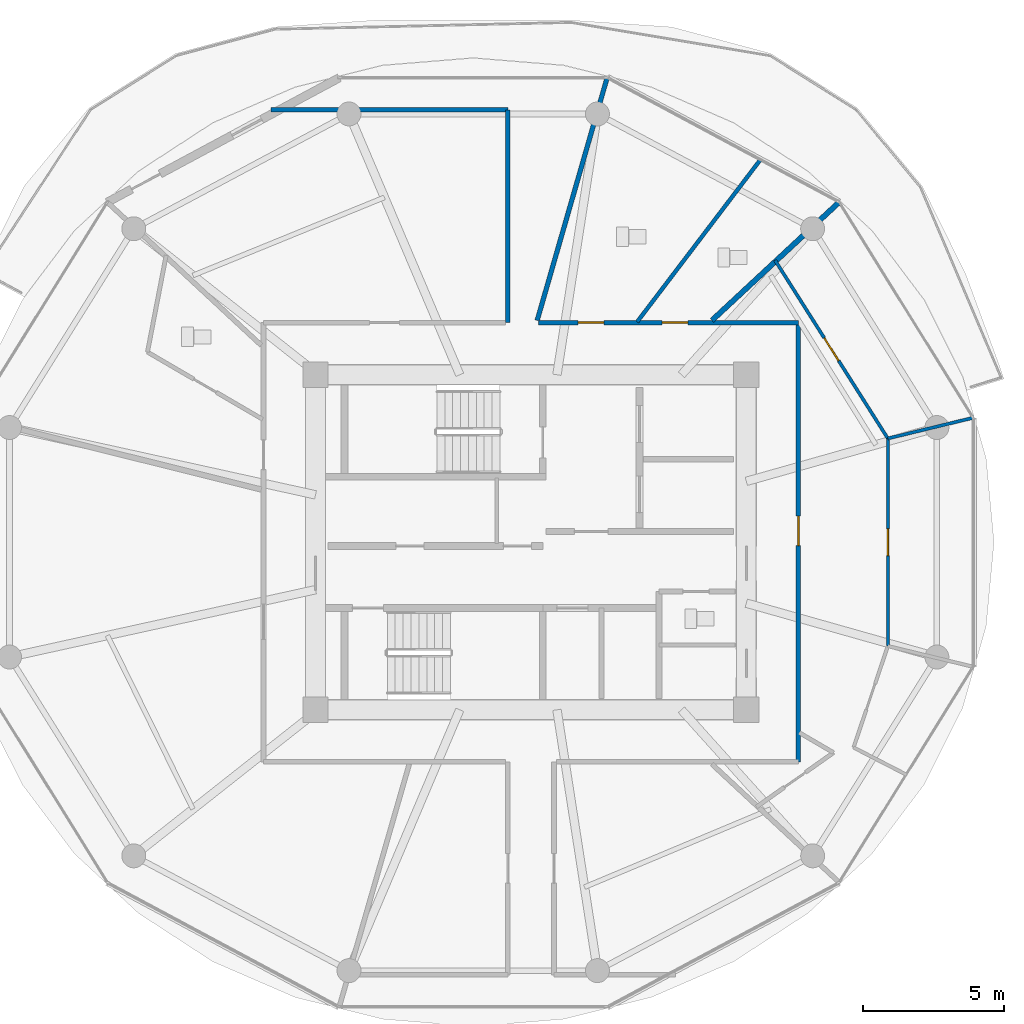
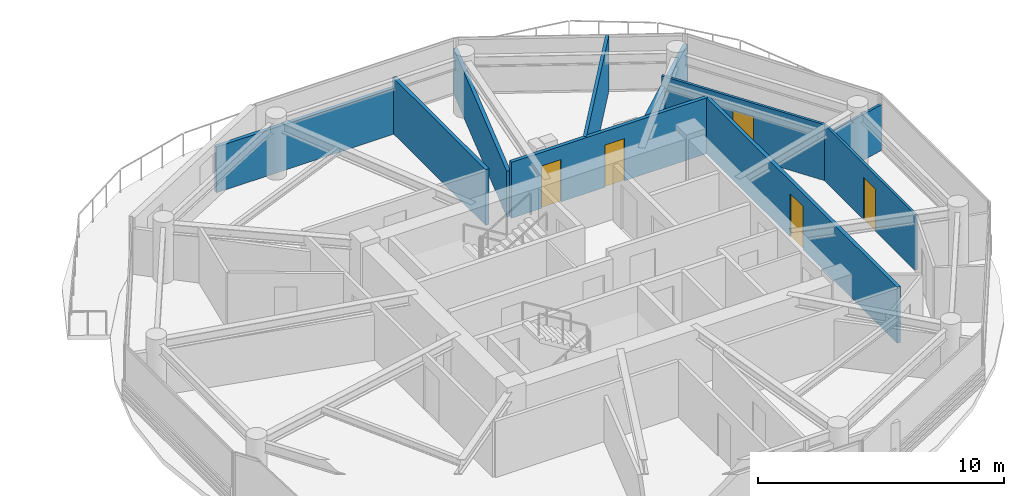
# One storey, part 17 of 24: 10 walls, 5 doors, 5 openings.
"""IFC4 building model written with IfcOpenShell, lengths in metres."""

from ifc_helpers import new_model, si_unit, direction, frame, frame_2d, origin, place, context, subcontext, project, spatial, rectangle, extrude, source, transform, mapped, material, layer, layer_set, type_object, type_shapes, element, fill, save


model = new_model("IFC4")

# Units and contexts
model_context = context("Model", 3, precision=1e-05, world=origin(), true_north=direction((0.0, 1.0)))
body_context = subcontext(model_context, "Body", "Model", "MODEL_VIEW")
ifc_project = project(units=[si_unit("LENGTHUNIT", "METRE"), si_unit("AREAUNIT", "SQUARE_METRE"), si_unit("VOLUMEUNIT", "CUBIC_METRE"), si_unit("PLANEANGLEUNIT", "RADIAN"), si_unit("MASSUNIT", "GRAM", prefix="KILO")], contexts=[model_context])

# Site, building, storey
site_placement = place(None, origin())
site = spatial("IfcSite", under=ifc_project, at=site_placement, CompositionType="ELEMENT")
building_placement = place(site_placement, origin())
building = spatial("IfcBuilding", under=site, at=building_placement, Name="Norrkilde Senior Care Towers", CompositionType="ELEMENT")
storey_placement = place(building_placement, frame((0.0, 0.0, 114.550048828125)))
storey = spatial("IfcBuildingStorey", under=building, at=storey_placement, Name="L35", CompositionType="ELEMENT", Elevation=114.550048828125)

# Wall, opening, door
ifc_material_1 = material(Name="Gypsum Acoustic Board")
ifc_layer_1 = layer(ifc_material_1, 0.1650390625)
ifc_layer_set_1 = layer_set([ifc_layer_1], Name="Gypsum Acoustic Board")
wall_type_1 = type_object("IfcWallType", Name="Corridor Rated Partition 165", PredefinedType="PARTITIONING", material=ifc_layer_set_1)
shared_shape_1 = source(origin(), body_context, "Body", "SweptSolid", [
    extrude(rectangle(XDim=15.60009765625, YDim=0.1650390625, at=frame_2d((7.800048828125, 0.0))), origin(), (0.0, 0.0, 1.0), 2.77490234375),
])
wall_1_placement = place(storey_placement, frame((37.5, 7.800048828125, 0.0), z_axis=(0.0, 0.0, 1.0), x_axis=(0.0, -1.0, 0.0)))
wall_1 = element("IfcWall", 1, at=wall_1_placement, inside=storey, type_object=wall_type_1, Name="WL-INT-L35-E-CRW-E-0", PredefinedType="PARTITIONING", context=body_context, shape_type="MappedRepresentation", body=[
    mapped(shared_shape_1, transform((0.0, 0.0, 0.0), x_axis=(1.0, 0.0, 0.0), y_axis=(0.0, 1.0, 0.0), z_axis=(0.0, 0.0, 1.0), scale=1.0)),
])
opening_1_placement = place(wall_1_placement, frame((6.86962890625, 0.0, 0.0)))
opening_1 = element("IfcOpeningElement", 2, at=opening_1_placement, cuts=wall_1, Name="Opening D-06", PredefinedType="OPENING", context=body_context, shape_type="SweptSolid", body=[
    extrude(rectangle(XDim=1.050048828125, YDim=2.14990234375, at=frame_2d((0.52490234375, 1.074951171875))), frame((0.0, 0.092529296875, 0.0), z_axis=(0.0, -1.0, 0.0), x_axis=(1.0, 0.0, 0.0)), (0.0, 0.0, 1.0), 0.18505859375),
])
ifc_material_2 = material(Name="Nordic Ash Timber", Category="wood")
door_type_1 = type_object("IfcDoorType", Name="Apartment Entrance Fire Door 1050x2150", OperationType="NOTDEFINED", PredefinedType="DOOR", material=ifc_material_2)
shared_shape_2 = source(origin(), body_context, "Body", "SweptSolid", [
    extrude(rectangle(XDim=1.050048828125, YDim=2.14990234375, at=frame_2d((0.52490234375, 1.074951171875))), frame((0.0, 0.02490234375, 0.0), z_axis=(0.0, -1.0, 0.0), x_axis=(1.0, 0.0, 0.0)), (0.0, 0.0, 1.0), 0.050048828125),
])
type_shapes(door_type_1, [shared_shape_2])
door_1_placement = place(opening_1_placement, frame((1.050048828125, 0.0, 0.0), z_axis=(0.0, 0.0, 1.0), x_axis=(-1.0, 0.0, 0.0)))
door_1 = element("IfcDoor", 3, at=door_1_placement, inside=storey, type_object=door_type_1, Name="Apartment 35C Entrance Door", OperationType="SINGLE_SWING_LEFT", OverallHeight=2.14990234375, OverallWidth=1.050048828125, PredefinedType="DOOR", context=body_context, shape_type="MappedRepresentation", body=[
    mapped(shared_shape_2, transform((0.0, 0.0, 0.0), x_axis=(1.0, 0.0, 0.0), y_axis=(0.0, 1.0, 0.0), z_axis=(0.0, 0.0, 1.0), scale=1.0)),
])
fill(opening_1, door_1)

# Wall, openings, doors
shared_shape_3 = source(origin(), body_context, "Body", "SweptSolid", [
    extrude(rectangle(XDim=9.234130859375, YDim=0.1650390625, at=frame_2d((4.6171875, 0.0))), origin(), (0.0, 0.0, 1.0), 2.77490234375),
])
wall_2_placement = place(storey_placement, frame((28.265869140625, 7.800048828125, 0.0), z_axis=(0.0, 0.0, 1.0), x_axis=(1.0, 0.0, 0.0)))
wall_2 = element("IfcWall", 4, at=wall_2_placement, inside=storey, type_object=wall_type_1, Name="WL-INT-L35-E-CRW-N-1", PredefinedType="PARTITIONING", context=body_context, shape_type="MappedRepresentation", body=[
    mapped(shared_shape_3, transform((0.0, 0.0, 0.0), x_axis=(1.0, 0.0, 0.0), y_axis=(0.0, 1.0, 0.0), z_axis=(0.0, 0.0, 1.0), scale=1.0)),
])
opening_2_placement = place(wall_2_placement, frame((4.39208984375, 0.0, 0.0)))
opening_2 = element("IfcOpeningElement", 5, at=opening_2_placement, cuts=wall_2, Name="Opening D-08", PredefinedType="OPENING", context=body_context, shape_type="SweptSolid", body=[
    extrude(rectangle(XDim=0.919921875, YDim=2.10009765625, at=frame_2d((0.4599609375, 1.050048828125))), frame((0.0, 0.092529296875, 0.0), z_axis=(0.0, -1.0, 0.0), x_axis=(1.0, 0.0, 0.0)), (0.0, 0.0, 1.0), 0.18505859375),
])
opening_3_placement = place(wall_2_placement, frame((1.407958984375, 0.0, 0.0)))
opening_3 = element("IfcOpeningElement", 6, at=opening_3_placement, cuts=wall_2, Name="Opening D-08", PredefinedType="OPENING", context=body_context, shape_type="SweptSolid", body=[
    extrude(rectangle(XDim=0.919921875, YDim=2.10009765625, at=frame_2d((0.4599609375, 1.050048828125))), frame((0.0, 0.092529296875, 0.0), z_axis=(0.0, -1.0, 0.0), x_axis=(1.0, 0.0, 0.0)), (0.0, 0.0, 1.0), 0.18505859375),
])
door_type_2 = type_object("IfcDoorType", Name="Accessible Wet Room Door 920x2100", OperationType="NOTDEFINED", PredefinedType="DOOR", material=ifc_material_2)
shared_shape_4 = source(origin(), body_context, "Body", "SweptSolid", [
    extrude(rectangle(XDim=0.919921875, YDim=2.10009765625, at=frame_2d((0.4599609375, 1.050048828125))), frame((0.0, 0.02490234375, 0.0), z_axis=(0.0, -1.0, 0.0), x_axis=(1.0, 0.0, 0.0)), (0.0, 0.0, 1.0), 0.050048828125),
])
type_shapes(door_type_2, [shared_shape_4])
door_2_placement = place(opening_2_placement, frame((0.919921875, 0.0, 0.0), z_axis=(0.0, 0.0, 1.0), x_axis=(-1.0, 0.0, 0.0)))
door_2 = element("IfcDoor", 7, at=door_2_placement, inside=storey, type_object=door_type_2, Name="L35 Accessible Restroom Door", OperationType="SINGLE_SWING_RIGHT", OverallHeight=2.10009765625, OverallWidth=0.919921875, PredefinedType="DOOR", context=body_context, shape_type="MappedRepresentation", body=[
    mapped(shared_shape_4, transform((0.0, 0.0, 0.0), x_axis=(1.0, 0.0, 0.0), y_axis=(0.0, 1.0, 0.0), z_axis=(0.0, 0.0, 1.0), scale=1.0)),
])
fill(opening_2, door_2)
door_3_placement = place(opening_3_placement, frame((0.919921875, 0.0, 0.0), z_axis=(0.0, 0.0, 1.0), x_axis=(-1.0, 0.0, 0.0)))
door_3 = element("IfcDoor", 8, at=door_3_placement, inside=storey, type_object=door_type_2, Name="L35 Public Restroom Door", OperationType="SINGLE_SWING_LEFT", OverallHeight=2.10009765625, OverallWidth=0.919921875, PredefinedType="DOOR", context=body_context, shape_type="MappedRepresentation", body=[
    mapped(shared_shape_4, transform((0.0, 0.0, 0.0), x_axis=(1.0, 0.0, 0.0), y_axis=(0.0, 1.0, 0.0), z_axis=(0.0, 0.0, 1.0), scale=1.0)),
])
fill(opening_3, door_3)

# Walls
shared_shape_5 = source(origin(), body_context, "Body", "SweptSolid", [
    extrude(rectangle(XDim=8.9892578125, YDim=0.1650390625, at=frame_2d((4.49462890625, 0.0))), origin(), (0.0, 0.0, 1.0), 2.27490234375),
])
wall_3_placement = place(storey_placement, frame((28.221923828125, 7.8798828125, 0.0), z_axis=(0.0, 0.0, 1.0), x_axis=(0.27702323008, 0.960863221274, 0.0)))
element("IfcWall", 9, at=wall_3_placement, inside=storey, type_object=wall_type_1, Name="WL-INT-L35-E-DEM-02-0", PredefinedType="PARTITIONING", context=body_context, shape_type="MappedRepresentation", body=[
    mapped(shared_shape_5, transform((0.0, 0.0, 0.0), x_axis=(1.0, 0.0, 0.0), y_axis=(0.0, 1.0, 0.0), z_axis=(0.0, 0.0, 1.0), scale=1.0)),
])
shared_shape_6 = source(origin(), body_context, "Body", "SweptSolid", [
    extrude(rectangle(XDim=7.56005859375, YDim=0.1650390625, at=frame_2d((3.780029296875, 0.0))), origin(), (0.0, 0.0, 1.0), 2.77490234375),
])
wall_4_placement = place(storey_placement, frame((27.179931640625, 7.800048828125, 0.0), z_axis=(0.0, 0.0, 1.0), x_axis=(0.0, 1.0, 0.0)))
element("IfcWall", 10, at=wall_4_placement, inside=storey, type_object=wall_type_1, Name="WL-INT-L35-E-PKW-NWL", PredefinedType="PARTITIONING", context=body_context, shape_type="MappedRepresentation", body=[
    mapped(shared_shape_6, transform((0.0, 0.0, 0.0), x_axis=(1.0, 0.0, 0.0), y_axis=(0.0, 1.0, 0.0), z_axis=(0.0, 0.0, 1.0), scale=1.0)),
])
shared_shape_7 = source(origin(), body_context, "Body", "SweptSolid", [
    extrude(rectangle(XDim=8.406982421875, YDim=0.1650390625, at=frame_2d((4.20361328125, 0.0))), origin(), (0.0, 0.0, 1.0), 2.27490234375),
])
type_shapes(wall_type_1, [shared_shape_1, shared_shape_3, shared_shape_5, shared_shape_6, shared_shape_7])
wall_5_placement = place(storey_placement, frame((18.77294921875, 15.360107421875, 0.0), z_axis=(0.0, 0.0, 1.0), x_axis=(1.0, 0.0, 0.0)))
element("IfcWall", 11, at=wall_5_placement, inside=storey, type_object=wall_type_1, Name="WL-INT-L35-E-PKH-NWL-0", PredefinedType="PARTITIONING", context=body_context, shape_type="MappedRepresentation", body=[
    mapped(shared_shape_7, transform((0.0, 0.0, 0.0), x_axis=(1.0, 0.0, 0.0), y_axis=(0.0, 1.0, 0.0), z_axis=(0.0, 0.0, 1.0), scale=1.0)),
])
ifc_layer_2 = layer(ifc_material_1, 0.18994140625)
ifc_layer_set_2 = layer_set([ifc_layer_2], Name="Gypsum Acoustic Board")
wall_type_2 = type_object("IfcWallType", Name="Unit Demising Acoustic Wall 190", PredefinedType="PARTITIONING", material=ifc_layer_set_2)
shared_shape_8 = source(origin(), body_context, "Body", "SweptSolid", [
    extrude(rectangle(XDim=6.186767578125, YDim=0.18994140625, at=frame_2d((3.09326171875, 0.0))), origin(), (0.0, 0.0, 1.0), 2.27490234375),
])
type_shapes(wall_type_2, [shared_shape_8])
wall_6_placement = place(storey_placement, frame((34.428955078125, 7.8798828125, 0.0), z_axis=(0.0, 0.0, 1.0), x_axis=(0.732501077882, 0.680765870841, 0.0)))
element("IfcWall", 12, at=wall_6_placement, inside=storey, type_object=wall_type_2, Name="WL-INT-L35-E-DEM-01-0", PredefinedType="PARTITIONING", context=body_context, shape_type="MappedRepresentation", body=[
    mapped(shared_shape_8, transform((0.0, 0.0, 0.0), x_axis=(1.0, 0.0, 0.0), y_axis=(0.0, 1.0, 0.0), z_axis=(0.0, 0.0, 1.0), scale=1.0)),
])
ifc_layer_3 = layer(ifc_material_1, 0.139892578125)
ifc_layer_set_3 = layer_set([ifc_layer_3], Name="Gypsum Acoustic Board")
wall_type_3 = type_object("IfcWallType", Name="En-suite Wet Room Wall 140", PredefinedType="PARTITIONING", material=ifc_layer_set_3)
shared_shape_9 = source(origin(), body_context, "Body", "SweptSolid", [
    extrude(rectangle(XDim=7.24267578125, YDim=0.139892578125, at=frame_2d((3.621337890625, 0.0))), origin(), (0.0, 0.0, 1.0), 2.77490234375),
])
type_shapes(wall_type_3, [shared_shape_9])
wall_7_placement = place(storey_placement, frame((31.773681640625, 7.830078125, 0.0), z_axis=(0.0, 0.0, 1.0), x_axis=(0.605111472002, 0.796140757939, 0.0)))
element("IfcWall", 13, at=wall_7_placement, inside=storey, type_object=wall_type_3, Name="WL-INT-L35-E-MID-01", PredefinedType="PARTITIONING", context=body_context, shape_type="MappedRepresentation", body=[
    mapped(shared_shape_9, transform((0.0, 0.0, 0.0), x_axis=(1.0, 0.0, 0.0), y_axis=(0.0, 1.0, 0.0), z_axis=(0.0, 0.0, 1.0), scale=1.0)),
])

# Wall, opening, door
ifc_layer_4 = layer(ifc_material_1, 0.114990234375)
ifc_layer_set_4 = layer_set([ifc_layer_4], Name="Gypsum Acoustic Board")
wall_type_4 = type_object("IfcWallType", Name="Internal Room Partition 115", PredefinedType="PARTITIONING", material=ifc_layer_set_4)
shared_shape_10 = source(origin(), body_context, "Body", "SweptSolid", [
    extrude(rectangle(XDim=7.37548828125, YDim=0.114990234375, at=frame_2d((3.687744140625, 0.0))), origin(), (0.0, 0.0, 1.0), 2.77490234375),
])
wall_8_placement = place(storey_placement, frame((40.677978515625, -3.687744140625, 0.0), z_axis=(0.0, 0.0, 1.0), x_axis=(0.0, 1.0, 0.0)))
wall_8 = element("IfcWall", 14, at=wall_8_placement, inside=storey, type_object=wall_type_4, Name="WL-INT-L35-E-UBC-10-1", PredefinedType="PARTITIONING", context=body_context, shape_type="MappedRepresentation", body=[
    mapped(shared_shape_10, transform((0.0, 0.0, 0.0), x_axis=(1.0, 0.0, 0.0), y_axis=(0.0, 1.0, 0.0), z_axis=(0.0, 0.0, 1.0), scale=1.0)),
])
opening_4_placement = place(wall_8_placement, frame((3.212646484375, 0.0, 0.0)))
opening_4 = element("IfcOpeningElement", 15, at=opening_4_placement, cuts=wall_8, Name="Opening D-07", PredefinedType="OPENING", context=body_context, shape_type="SweptSolid", body=[
    extrude(rectangle(XDim=0.949951171875, YDim=2.10009765625, at=frame_2d((0.47509765625, 1.050048828125))), frame((0.0, 0.0673828125, 0.0), z_axis=(0.0, -1.0, 0.0), x_axis=(1.0, 0.0, 0.0)), (0.0, 0.0, 1.0), 0.135009765625),
])
door_type_3 = type_object("IfcDoorType", Name="Internal Suite Bedroom Door 950x2100", OperationType="NOTDEFINED", PredefinedType="DOOR", material=ifc_material_2)
shared_shape_11 = source(origin(), body_context, "Body", "SweptSolid", [
    extrude(rectangle(XDim=0.949951171875, YDim=2.10009765625, at=frame_2d((0.47509765625, 1.050048828125))), frame((0.0, 0.02490234375, 0.0), z_axis=(0.0, -1.0, 0.0), x_axis=(1.0, 0.0, 0.0)), (0.0, 0.0, 1.0), 0.050048828125),
])
type_shapes(door_type_3, [shared_shape_11])
door_4_placement = place(opening_4_placement, origin())
door_4 = element("IfcDoor", 16, at=door_4_placement, inside=storey, type_object=door_type_3, Name="Apartment 35C Bedroom 1 Door", OperationType="SINGLE_SWING_RIGHT", OverallHeight=2.10009765625, OverallWidth=0.949951171875, PredefinedType="DOOR", context=body_context, shape_type="MappedRepresentation", body=[
    mapped(shared_shape_11, transform((0.0, 0.0, 0.0), x_axis=(1.0, 0.0, 0.0), y_axis=(0.0, 1.0, 0.0), z_axis=(0.0, 0.0, 1.0), scale=1.0)),
])
fill(opening_4, door_4)

shared_shape_12 = source(origin(), body_context, "Body", "SweptSolid", [
    extrude(rectangle(XDim=7.491455078125, YDim=0.114990234375, at=frame_2d((3.74560546875, 0.0))), origin(), (0.0, 0.0, 1.0), 2.77490234375),
])
wall_9_placement = place(storey_placement, frame((40.676513671875, 3.6875, 0.0), z_axis=(0.0, 0.0, 1.0), x_axis=(-0.534794647943, 0.844982061662, 0.0)))
wall_9 = element("IfcWall", 17, at=wall_9_placement, inside=storey, type_object=wall_type_4, Name="WL-INT-L35-E-UBC-10-2", PredefinedType="PARTITIONING", context=body_context, shape_type="MappedRepresentation", body=[
    mapped(shared_shape_12, transform((0.0, 0.0, 0.0), x_axis=(1.0, 0.0, 0.0), y_axis=(0.0, 1.0, 0.0), z_axis=(0.0, 0.0, 1.0), scale=1.0)),
])
opening_5_placement = place(wall_9_placement, frame((3.270751953125, 0.0, 0.0)))
opening_5 = element("IfcOpeningElement", 18, at=opening_5_placement, cuts=wall_9, Name="Opening D-07", PredefinedType="OPENING", context=body_context, shape_type="SweptSolid", body=[
    extrude(rectangle(XDim=0.949951171875, YDim=2.10009765625, at=frame_2d((0.47509765625, 1.050048828125))), frame((0.0, 0.0673828125, 0.0), z_axis=(0.0, -1.0, 0.0), x_axis=(1.0, 0.0, 0.0)), (0.0, 0.0, 1.0), 0.135009765625),
])
door_5_placement = place(opening_5_placement, frame((0.949951171875, 0.0, 0.0), z_axis=(0.0, 0.0, 1.0), x_axis=(-1.0, 0.0, 0.0)))
door_5 = element("IfcDoor", 19, at=door_5_placement, inside=storey, type_object=door_type_3, Name="Apartment 35C Bedroom 2 Door", OperationType="SINGLE_SWING_LEFT", OverallHeight=2.10009765625, OverallWidth=0.949951171875, PredefinedType="DOOR", context=body_context, shape_type="MappedRepresentation", body=[
    mapped(shared_shape_11, transform((0.0, 0.0, 0.0), x_axis=(1.0, 0.0, 0.0), y_axis=(0.0, 1.0, 0.0), z_axis=(0.0, 0.0, 1.0), scale=1.0)),
])
fill(opening_5, door_5)

# Wall
shared_shape_13 = source(origin(), body_context, "Body", "SweptSolid", [
    extrude(rectangle(XDim=3.134765625, YDim=0.114990234375, at=frame_2d((1.5673828125, 0.0))), origin(), (0.0, 0.0, 1.0), 2.27490234375),
])
type_shapes(wall_type_4, [shared_shape_10, shared_shape_12, shared_shape_13])
wall_10_placement = place(storey_placement, frame((40.676513671875, 3.6875, 0.0), z_axis=(0.0, 0.0, 1.0), x_axis=(0.971871716329, 0.235510863866, 0.0)))
element("IfcWall", 20, at=wall_10_placement, inside=storey, type_object=wall_type_4, Name="WL-INT-L35-E-UBR-10-2", PredefinedType="PARTITIONING", context=body_context, shape_type="MappedRepresentation", body=[
    mapped(shared_shape_13, transform((0.0, 0.0, 0.0), x_axis=(1.0, 0.0, 0.0), y_axis=(0.0, 1.0, 0.0), z_axis=(0.0, 0.0, 1.0), scale=1.0)),
])

save(model, "model.ifc")
